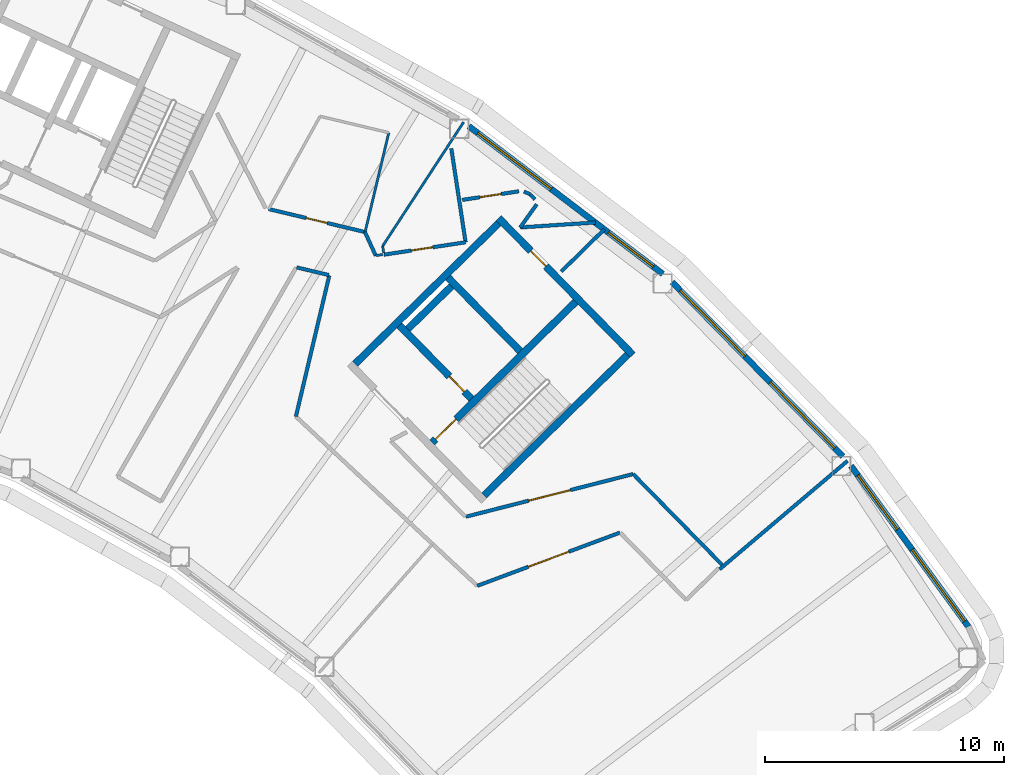
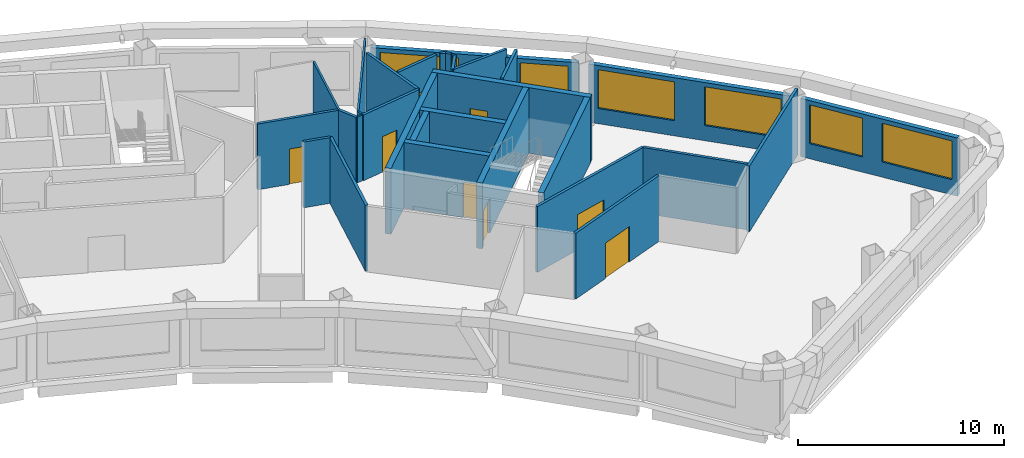
# One storey, part 8 of 16: 30 walls, 8 doors, 6 windows, 14 openings.
"""IFC4 building model written with IfcOpenShell, lengths in metres."""

from ifc_helpers import new_model, si_unit, direction, frame, frame_2d, origin, place, context, subcontext, project, spatial, rectangle, extrude, material, layer, layer_set, type_object, element, fill, save


model = new_model("IFC4")

# Units and contexts
model_context = context("Model", 3, precision=1e-05, world=origin(), true_north=direction((0.0, 1.0)))
body_context = subcontext(model_context, "Body", "Model", "MODEL_VIEW")
ifc_project = project(units=[si_unit("LENGTHUNIT", "METRE"), si_unit("AREAUNIT", "SQUARE_METRE"), si_unit("VOLUMEUNIT", "CUBIC_METRE"), si_unit("PLANEANGLEUNIT", "RADIAN"), si_unit("MASSUNIT", "GRAM", prefix="KILO")], contexts=[model_context])

# Site, building, storey
site_placement = place(None, origin())
site = spatial("IfcSite", under=ifc_project, at=site_placement, CompositionType="ELEMENT")
building_placement = place(site_placement, origin())
building = spatial("IfcBuilding", under=site, at=building_placement, Name="Tuul Gate Civic Tower", CompositionType="ELEMENT")
storey_placement = place(building_placement, frame((0.0, 0.0, 298.39990234375)))
storey = spatial("IfcBuildingStorey", under=building, at=storey_placement, Name="Level 67", CompositionType="ELEMENT", Elevation=298.39990234375)

# Wall, opening, door
ifc_material_1 = material(Name="Concrete C50/60", Category="concrete")
ifc_layer_1 = layer(ifc_material_1, 0.300048828125)
ifc_layer_set_1 = layer_set([ifc_layer_1], Name="Concrete C50/60")
wall_type_1 = type_object("IfcWallType", Name="Core wall C50/60", PredefinedType="SHEAR", material=ifc_layer_set_1)
wall_1_placement = place(storey_placement, frame((47.701904296875, -14.079833984375, 0.0), z_axis=(0.0, 0.0, 1.0), x_axis=(-0.700002721075, 0.714140175657, 0.0)))
wall_1 = element("IfcWall", 1, at=wall_1_placement, inside=storey, type_object=wall_type_1, Name="Core wall", PredefinedType="SHEAR", context=body_context, shape_type="SweptSolid", body=[
    extrude(rectangle(XDim=4.300048828125, YDim=0.300048828125, at=frame_2d((2.14990234375, 0.0))), origin(), (0.0, 0.0, 1.0), 3.900146484375),
])
opening_1_placement = place(wall_1_placement, frame((0.425048828125, 0.0, 0.0)))
opening_1 = element("IfcOpeningElement", 2, at=opening_1_placement, cuts=wall_1, Name="Opening FB-E1A1", PredefinedType="OPENING", context=body_context, shape_type="SweptSolid", body=[
    extrude(rectangle(XDim=0.89990234375, YDim=2.10009765625, at=frame_2d((0.449951171875, 1.050048828125))), frame((0.0, 0.16015625, 0.0), z_axis=(0.0, -1.0, 0.0), x_axis=(1.0, 0.0, 0.0)), (0.0, 0.0, 1.0), 0.320068359375),
])
ifc_material_2 = material(Name="Steel", Category="steel")
door_type_1 = type_object("IfcDoorType", Name="Store door", OperationType="NOTDEFINED", PredefinedType="DOOR", material=ifc_material_2)
door_1_placement = place(opening_1_placement, frame((0.89990234375, 0.0, 0.0), z_axis=(0.0, 0.0, 1.0), x_axis=(-1.0, 0.0, 0.0)))
door_1 = element("IfcDoor", 3, at=door_1_placement, inside=storey, type_object=door_type_1, Name="Store door E1A1", OperationType="SINGLE_SWING_RIGHT", OverallHeight=2.10009765625, OverallWidth=0.89990234375, PredefinedType="DOOR", context=body_context, shape_type="SweptSolid", body=[
    extrude(rectangle(XDim=0.89990234375, YDim=2.10009765625, at=frame_2d((0.449951171875, 1.050048828125))), frame((0.0, 0.02490234375, 0.0), z_axis=(0.0, -1.0, 0.0), x_axis=(1.0, 0.0, 0.0)), (0.0, 0.0, 1.0), 0.050048828125),
])
fill(opening_1, door_1)

# Wall
wall_2_placement = place(storey_placement, frame((49.737060546875, -12.0849609375, 0.0), z_axis=(0.0, 0.0, 1.0), x_axis=(-0.700002721075, 0.714140175657, 0.0)))
element("IfcWall", 4, at=wall_2_placement, inside=storey, type_object=wall_type_1, Name="Core wall", PredefinedType="SHEAR", context=body_context, shape_type="SweptSolid", body=[
    extrude(rectangle(XDim=4.300048828125, YDim=0.300048828125, at=frame_2d((2.14990234375, 0.0))), origin(), (0.0, 0.0, 1.0), 3.900146484375),
])

# Wall, opening, door
wall_3_placement = place(storey_placement, frame((54.43798828125, -12.23779296875, 0.0), z_axis=(0.0, 0.0, 1.0), x_axis=(-0.700021979774, 0.714121297703, 0.0)))
wall_3 = element("IfcWall", 5, at=wall_3_placement, inside=storey, type_object=wall_type_1, Name="Core wall", PredefinedType="SHEAR", context=body_context, shape_type="SweptSolid", body=[
    extrude(rectangle(XDim=8.0, YDim=0.300048828125, at=frame_2d((4.0, 0.0))), origin(), (0.0, 0.0, 1.0), 3.900146484375),
])
opening_2_placement = place(wall_3_placement, frame((5.175048828125, 0.0, 0.0)))
opening_2 = element("IfcOpeningElement", 6, at=opening_2_placement, cuts=wall_3, Name="Opening Y-D18", PredefinedType="OPENING", context=body_context, shape_type="SweptSolid", body=[
    extrude(rectangle(XDim=0.89990234375, YDim=2.10009765625, at=frame_2d((0.449951171875, 1.050048828125))), frame((0.0, 0.16015625, 0.0), z_axis=(0.0, -1.0, 0.0), x_axis=(1.0, 0.0, 0.0)), (0.0, 0.0, 1.0), 0.320068359375),
])
ifc_material_3 = material(Name="Timber door leaf", Category="wood")
door_type_2 = type_object("IfcDoorType", Name="Door D09", OperationType="NOTDEFINED", PredefinedType="DOOR", material=ifc_material_3)
door_2_placement = place(opening_2_placement, origin())
door_2 = element("IfcDoor", 7, at=door_2_placement, inside=storey, type_object=door_type_2, Name="Door Y-D18", OperationType="SINGLE_SWING_LEFT", OverallHeight=2.10009765625, OverallWidth=0.89990234375, PredefinedType="DOOR", context=body_context, shape_type="SweptSolid", body=[
    extrude(rectangle(XDim=0.89990234375, YDim=2.10009765625, at=frame_2d((0.449951171875, 1.050048828125))), frame((0.0, 0.02490234375, 0.0), z_axis=(0.0, -1.0, 0.0), x_axis=(1.0, 0.0, 0.0)), (0.0, 0.0, 1.0), 0.050048828125),
])
fill(opening_2, door_2)

# Wall
wall_4_placement = place(storey_placement, frame((48.227294921875, -18.115966796875, 0.0), z_axis=(0.0, 0.0, 1.0), x_axis=(0.714105315431, 0.700038283577, 0.0)))
element("IfcWall", 8, at=wall_4_placement, inside=storey, type_object=wall_type_1, Name="Core wall", PredefinedType="SHEAR", context=body_context, shape_type="SweptSolid", body=[
    extrude(rectangle(XDim=8.400146484375, YDim=0.300048828125, at=frame_2d((4.2001953125, 0.0))), origin(), (0.0, 0.0, 1.0), 3.900146484375),
])

# Wall, opening, door
wall_5_placement = place(storey_placement, frame((46.05712890625, -15.902099609375, 0.0), z_axis=(0.0, 0.0, 1.0), x_axis=(0.714134086973, 0.700008932674, 0.0)))
wall_5 = element("IfcWall", 9, at=wall_5_placement, inside=storey, type_object=wall_type_1, Name="Core wall", PredefinedType="SHEAR", context=body_context, shape_type="SweptSolid", body=[
    extrude(rectangle(XDim=8.400146484375, YDim=0.300048828125, at=frame_2d((4.2001953125, 0.0))), origin(), (0.0, 0.0, 1.0), 3.900146484375),
])
opening_3_placement = place(wall_5_placement, frame((0.199951171875, 0.0, 0.0)))
opening_3 = element("IfcOpeningElement", 10, at=opening_3_placement, cuts=wall_5, Name="Opening SD-ST-3", PredefinedType="OPENING", context=body_context, shape_type="SweptSolid", body=[
    extrude(rectangle(XDim=1.199951171875, YDim=2.10009765625, at=frame_2d((0.60009765625, 1.050048828125))), frame((0.0, 0.16015625, 0.0), z_axis=(0.0, -1.0, 0.0), x_axis=(1.0, 0.0, 0.0)), (0.0, 0.0, 1.0), 0.320068359375),
])
ifc_material_4 = material(Name="Steel", Category="steel")
door_type_3 = type_object("IfcDoorType", Name="Stair door", OperationType="NOTDEFINED", PredefinedType="DOOR", material=ifc_material_4)
door_3_placement = place(opening_3_placement, origin())
door_3 = element("IfcDoor", 11, at=door_3_placement, inside=storey, type_object=door_type_3, Name="Stair door ST-3", OperationType="SINGLE_SWING_LEFT", OverallHeight=2.10009765625, OverallWidth=1.199951171875, PredefinedType="DOOR", context=body_context, shape_type="SweptSolid", body=[
    extrude(rectangle(XDim=1.199951171875, YDim=2.10009765625, at=frame_2d((0.60009765625, 1.050048828125))), frame((0.0, 0.02490234375, 0.0), z_axis=(0.0, -1.0, 0.0), x_axis=(1.0, 0.0, 0.0)), (0.0, 0.0, 1.0), 0.050048828125),
])
fill(opening_3, door_3)

# Walls
wall_6_placement = place(storey_placement, frame((45.0439453125, -11.154052734375, 0.0), z_axis=(0.0, 0.0, 1.0), x_axis=(0.714108498262, 0.700035036773, 0.0)))
element("IfcWall", 12, at=wall_6_placement, inside=storey, type_object=wall_type_1, Name="Core wall", PredefinedType="SHEAR", context=body_context, shape_type="SweptSolid", body=[
    extrude(rectangle(XDim=2.550048828125, YDim=0.300048828125, at=frame_2d((1.27490234375, 0.0))), origin(), (0.0, 0.0, 1.0), 3.900146484375),
])
wall_7_placement = place(storey_placement, frame((42.837158203125, -12.616943359375, 0.0), z_axis=(0.0, 0.0, 1.0), x_axis=(0.714119844755, 0.700023461983, 0.0)))
element("IfcWall", 13, at=wall_7_placement, inside=storey, type_object=wall_type_1, Name="Core wall", PredefinedType="SHEAR", context=body_context, shape_type="SweptSolid", body=[
    extrude(rectangle(XDim=8.39990234375, YDim=0.300048828125, at=frame_2d((4.199951171875, 0.0))), origin(), (0.0, 0.0, 1.0), 3.900146484375),
])
ifc_material_5 = material(Name="Gypsum board partition")
ifc_layer_2 = layer(ifc_material_5, 0.14990234375)
ifc_layer_set_2 = layer_set([ifc_layer_2], Name="Gypsum board partition")
wall_type_2 = type_object("IfcWallType", Name="Corridor wall P150", PredefinedType="PARTITIONING", material=ifc_layer_set_2)
wall_8_placement = place(storey_placement, frame((54.457763671875, -17.220458984375, 0.0), z_axis=(0.0, 0.0, 1.0), x_axis=(0.699987707347, -0.714154891857, 0.0)))
element("IfcWall", 14, at=wall_8_placement, inside=storey, type_object=wall_type_2, Name="p004", PredefinedType="PARTITIONING", context=body_context, shape_type="SweptSolid", body=[
    extrude(rectangle(XDim=5.3076171875, YDim=0.14990234375, at=frame_2d((2.65380859375, 0.0))), origin(), (0.0, 0.0, 1.0), 3.900146484375),
])

# Wall, opening, door
wall_9_placement = place(storey_placement, frame((47.466796875, -19.002685546875, 0.0), z_axis=(0.0, 0.0, 1.0), x_axis=(0.968988956824, 0.247104029821, 0.0)))
wall_9 = element("IfcWall", 15, at=wall_9_placement, inside=storey, type_object=wall_type_2, Name="p005", PredefinedType="PARTITIONING", context=body_context, shape_type="SweptSolid", body=[
    extrude(rectangle(XDim=7.21337890625, YDim=0.14990234375, at=frame_2d((3.606689453125, 0.0))), origin(), (0.0, 0.0, 1.0), 3.900146484375),
])
opening_4_placement = place(wall_9_placement, frame((2.706787109375, 0.0, 0.0)))
opening_4 = element("IfcOpeningElement", 16, at=opening_4_placement, cuts=wall_9, Name="Opening Y-D01", PredefinedType="OPENING", context=body_context, shape_type="SweptSolid", body=[
    extrude(rectangle(XDim=1.800048828125, YDim=2.10009765625, at=frame_2d((0.89990234375, 1.050048828125))), frame((0.0, 0.0849609375, 0.0), z_axis=(0.0, -1.0, 0.0), x_axis=(1.0, 0.0, 0.0)), (0.0, 0.0, 1.0), 0.169921875),
])
ifc_material_6 = material(Name="Timber door leaf, double", Category="wood")
door_type_4 = type_object("IfcDoorType", Name="Door D18", OperationType="DOUBLE_DOOR_SINGLE_SWING", PredefinedType="DOOR", material=ifc_material_6)
door_4_placement = place(opening_4_placement, origin())
door_4 = element("IfcDoor", 17, at=door_4_placement, inside=storey, type_object=door_type_4, Name="Door Y-D01", OperationType="DOUBLE_DOOR_SINGLE_SWING", OverallHeight=2.10009765625, OverallWidth=1.800048828125, PredefinedType="DOOR", context=body_context, shape_type="SweptSolid", body=[
    extrude(rectangle(XDim=1.800048828125, YDim=2.10009765625, at=frame_2d((0.89990234375, 1.050048828125))), frame((0.0, 0.02490234375, 0.0), z_axis=(0.0, -1.0, 0.0), x_axis=(1.0, 0.0, 0.0)), (0.0, 0.0, 1.0), 0.050048828125),
])
fill(opening_4, door_4)

# Walls
wall_10_placement = place(storey_placement, frame((51.4501953125, -8.76025390625, 0.0), z_axis=(0.0, 0.0, 1.0), x_axis=(0.714081368042, 0.700062711345, 0.0)))
element("IfcWall", 18, at=wall_10_placement, inside=storey, type_object=wall_type_2, Name="p008", PredefinedType="PARTITIONING", context=body_context, shape_type="SweptSolid", body=[
    extrude(rectangle(XDim=2.525146484375, YDim=0.14990234375, at=frame_2d((1.2626953125, 0.0))), origin(), (0.0, 0.0, 1.0), 3.900146484375),
])
wall_11_placement = place(storey_placement, frame((58.072265625, -21.19677734375, 0.0), z_axis=(0.0, 0.0, 1.0), x_axis=(0.762848951286, 0.646576737535, 0.0)))
element("IfcWall", 19, at=wall_11_placement, inside=storey, type_object=wall_type_2, Name="p009", PredefinedType="PARTITIONING", context=body_context, shape_type="SweptSolid", body=[
    extrude(rectangle(XDim=7.00048828125, YDim=0.14990234375, at=frame_2d((3.500244140625, 0.0))), origin(), (0.0, 0.0, 1.0), 3.900146484375),
])

# Wall, opening, door
wall_12_placement = place(storey_placement, frame((44.044921875, -8.05322265625, 0.0), z_axis=(0.0, 0.0, 1.0), x_axis=(0.988596403611, 0.150589344802, 0.0)))
wall_12 = element("IfcWall", 20, at=wall_12_placement, inside=storey, type_object=wall_type_2, Name="p012", PredefinedType="PARTITIONING", context=body_context, shape_type="SweptSolid", body=[
    extrude(rectangle(XDim=3.449951171875, YDim=0.14990234375, at=frame_2d((1.72509765625, 0.0))), origin(), (0.0, 0.0, 1.0), 3.900146484375),
])
opening_5_placement = place(wall_12_placement, frame((1.159912109375, 0.0, 0.0)))
opening_5 = element("IfcOpeningElement", 21, at=opening_5_placement, cuts=wall_12, Name="Opening Y-D02", PredefinedType="OPENING", context=body_context, shape_type="SweptSolid", body=[
    extrude(rectangle(XDim=0.89990234375, YDim=2.10009765625, at=frame_2d((0.449951171875, 1.050048828125))), frame((0.0, 0.0849609375, 0.0), z_axis=(0.0, -1.0, 0.0), x_axis=(1.0, 0.0, 0.0)), (0.0, 0.0, 1.0), 0.169921875),
])
door_5_placement = place(opening_5_placement, origin())
door_5 = element("IfcDoor", 22, at=door_5_placement, inside=storey, type_object=door_type_2, Name="Door Y-D02", OperationType="SINGLE_SWING_LEFT", OverallHeight=2.10009765625, OverallWidth=0.89990234375, PredefinedType="DOOR", context=body_context, shape_type="SweptSolid", body=[
    extrude(rectangle(XDim=0.89990234375, YDim=2.10009765625, at=frame_2d((0.449951171875, 1.050048828125))), frame((0.0, 0.02490234375, 0.0), z_axis=(0.0, -1.0, 0.0), x_axis=(1.0, 0.0, 0.0)), (0.0, 0.0, 1.0), 0.050048828125),
])
fill(opening_5, door_5)

# Wall
wall_13_placement = place(storey_placement, frame((49.737060546875, -6.91455078125, 0.0), z_axis=(0.0, 0.0, 1.0), x_axis=(0.997841736388, 0.065664824079, 0.0)))
element("IfcWall", 23, at=wall_13_placement, inside=storey, type_object=wall_type_2, Name="p013", PredefinedType="PARTITIONING", context=body_context, shape_type="SweptSolid", body=[
    extrude(rectangle(XDim=3.149169921875, YDim=0.14990234375, at=frame_2d((1.57470703125, 0.0))), origin(), (0.0, 0.0, 1.0), 3.900146484375),
])

# Wall, opening, door
wall_14_placement = place(storey_placement, frame((39.226806640625, -6.146240234375, 0.0), z_axis=(0.0, 0.0, 1.0), x_axis=(0.972722701554, -0.231971002242, 0.0)))
wall_14 = element("IfcWall", 24, at=wall_14_placement, inside=storey, type_object=wall_type_2, Name="p017", PredefinedType="PARTITIONING", context=body_context, shape_type="SweptSolid", body=[
    extrude(rectangle(XDim=4.1435546875, YDim=0.14990234375, at=frame_2d((2.07177734375, 0.0))), origin(), (0.0, 0.0, 1.0), 3.900146484375),
])
opening_6_placement = place(wall_14_placement, frame((1.616943359375, 0.0, 0.0)))
opening_6 = element("IfcOpeningElement", 25, at=opening_6_placement, cuts=wall_14, Name="Opening Y-D03", PredefinedType="OPENING", context=body_context, shape_type="SweptSolid", body=[
    extrude(rectangle(XDim=0.89990234375, YDim=2.10009765625, at=frame_2d((0.449951171875, 1.050048828125))), frame((0.0, 0.0849609375, 0.0), z_axis=(0.0, -1.0, 0.0), x_axis=(1.0, 0.0, 0.0)), (0.0, 0.0, 1.0), 0.169921875),
])
door_6_placement = place(opening_6_placement, origin())
door_6 = element("IfcDoor", 26, at=door_6_placement, inside=storey, type_object=door_type_2, Name="Door Y-D03", OperationType="SINGLE_SWING_RIGHT", OverallHeight=2.10009765625, OverallWidth=0.89990234375, PredefinedType="DOOR", context=body_context, shape_type="SweptSolid", body=[
    extrude(rectangle(XDim=0.89990234375, YDim=2.10009765625, at=frame_2d((0.449951171875, 1.050048828125))), frame((0.0, 0.02490234375, 0.0), z_axis=(0.0, -1.0, 0.0), x_axis=(1.0, 0.0, 0.0)), (0.0, 0.0, 1.0), 0.050048828125),
])
fill(opening_6, door_6)

# Wall
wall_15_placement = place(storey_placement, frame((43.247802734375, -7.105224609375, 0.0), z_axis=(0.0, 0.0, 1.0), x_axis=(0.416041876588, -0.909345455218, 0.0)))
element("IfcWall", 27, at=wall_15_placement, inside=storey, type_object=wall_type_2, Name="p018", PredefinedType="PARTITIONING", context=body_context, shape_type="SweptSolid", body=[
    extrude(rectangle(XDim=1.083740234375, YDim=0.14990234375, at=frame_2d((0.5419921875, 0.0))), origin(), (0.0, 0.0, 1.0), 3.900146484375),
])

# Wall, opening, door
wall_16_placement = place(storey_placement, frame((47.9443359375, -21.889892578125, 0.0), z_axis=(0.0, 0.0, 1.0), x_axis=(0.936968482733, 0.349413884046, 0.0)))
wall_16 = element("IfcWall", 28, at=wall_16_placement, inside=storey, type_object=wall_type_2, Name="p050", PredefinedType="PARTITIONING", context=body_context, shape_type="SweptSolid", body=[
    extrude(rectangle(XDim=6.356201171875, YDim=0.14990234375, at=frame_2d((3.17822265625, 0.0))), origin(), (0.0, 0.0, 1.0), 3.900146484375),
])
opening_7_placement = place(wall_16_placement, frame((2.278076171875, 0.0, 0.0)))
opening_7 = element("IfcOpeningElement", 29, at=opening_7_placement, cuts=wall_16, Name="Opening Y-D07", PredefinedType="OPENING", context=body_context, shape_type="SweptSolid", body=[
    extrude(rectangle(XDim=1.800048828125, YDim=2.10009765625, at=frame_2d((0.89990234375, 1.050048828125))), frame((0.0, 0.0849609375, 0.0), z_axis=(0.0, -1.0, 0.0), x_axis=(1.0, 0.0, 0.0)), (0.0, 0.0, 1.0), 0.169921875),
])
door_7_placement = place(opening_7_placement, frame((1.800048828125, 0.0, 0.0), z_axis=(0.0, 0.0, 1.0), x_axis=(-1.0, 0.0, 0.0)))
door_7 = element("IfcDoor", 30, at=door_7_placement, inside=storey, type_object=door_type_4, Name="Door Y-D07", OperationType="DOUBLE_DOOR_SINGLE_SWING", OverallHeight=2.10009765625, OverallWidth=1.800048828125, PredefinedType="DOOR", context=body_context, shape_type="SweptSolid", body=[
    extrude(rectangle(XDim=1.800048828125, YDim=2.10009765625, at=frame_2d((0.900146484375, 1.050048828125))), frame((0.0, 0.02490234375, 0.0), z_axis=(0.0, -1.0, 0.0), x_axis=(1.0, 0.0, 0.0)), (0.0, 0.0, 1.0), 0.050048828125),
])
fill(opening_7, door_7)

# Walls
wall_17_placement = place(storey_placement, frame((40.397216796875, -8.583984375, 0.0), z_axis=(0.0, 0.0, 1.0), x_axis=(0.972749430583, -0.231858890922, 0.0)))
element("IfcWall", 31, at=wall_17_placement, inside=storey, type_object=wall_type_2, Name="p059", PredefinedType="PARTITIONING", context=body_context, shape_type="SweptSolid", body=[
    extrude(rectangle(XDim=1.384765625, YDim=0.14990234375, at=frame_2d((0.6923828125, 0.0))), origin(), (0.0, 0.0, 1.0), 3.900146484375),
])
wall_18_placement = place(storey_placement, frame((40.364501953125, -14.81640625, 0.0), z_axis=(0.0, 0.0, 1.0), x_axis=(0.230468393263, 0.973079811581, 0.0)))
element("IfcWall", 32, at=wall_18_placement, inside=storey, type_object=wall_type_2, Name="p060", PredefinedType="PARTITIONING", context=body_context, shape_type="SweptSolid", body=[
    extrude(rectangle(XDim=6.05517578125, YDim=0.14990234375, at=frame_2d((3.027587890625, 0.0))), origin(), (0.0, 0.0, 1.0), 3.900146484375),
])
wall_19_placement = place(storey_placement, frame((46.8583984375, -3.61328125, 0.0), z_axis=(0.0, 0.0, 1.0), x_axis=(0.150576717592, -0.988598326986, 0.0)))
element("IfcWall", 33, at=wall_19_placement, inside=storey, type_object=wall_type_2, Name="p091", PredefinedType="PARTITIONING", context=body_context, shape_type="SweptSolid", body=[
    extrude(rectangle(XDim=3.9658203125, YDim=0.14990234375, at=frame_2d((1.98291015625, 0.0))), origin(), (0.0, 0.0, 1.0), 3.900146484375),
])

# Wall, opening, door
wall_20_placement = place(storey_placement, frame((47.319580078125, -5.76416015625, 0.0), z_axis=(0.0, 0.0, 1.0), x_axis=(0.988598667158, 0.150574484203, 0.0)))
wall_20 = element("IfcWall", 34, at=wall_20_placement, inside=storey, type_object=wall_type_2, Name="p092", PredefinedType="PARTITIONING", context=body_context, shape_type="SweptSolid", body=[
    extrude(rectangle(XDim=2.388427734375, YDim=0.14990234375, at=frame_2d((1.1943359375, 0.0))), origin(), (0.0, 0.0, 1.0), 3.900146484375),
])
opening_8_placement = place(wall_20_placement, frame((0.744140625, 0.0, 0.0)))
opening_8 = element("IfcOpeningElement", 35, at=opening_8_placement, cuts=wall_20, Name="Opening Y-D15", PredefinedType="OPENING", context=body_context, shape_type="SweptSolid", body=[
    extrude(rectangle(XDim=0.89990234375, YDim=2.10009765625, at=frame_2d((0.449951171875, 1.050048828125))), frame((0.0, 0.0849609375, 0.0), z_axis=(0.0, -1.0, 0.0), x_axis=(1.0, 0.0, 0.0)), (0.0, 0.0, 1.0), 0.169921875),
])
door_8_placement = place(opening_8_placement, origin())
door_8 = element("IfcDoor", 36, at=door_8_placement, inside=storey, type_object=door_type_2, Name="Door Y-D15", OperationType="SINGLE_SWING_LEFT", OverallHeight=2.10009765625, OverallWidth=0.89990234375, PredefinedType="DOOR", context=body_context, shape_type="SweptSolid", body=[
    extrude(rectangle(XDim=0.89990234375, YDim=2.10009765625, at=frame_2d((0.449951171875, 1.050048828125))), frame((0.0, 0.02490234375, 0.0), z_axis=(0.0, -1.0, 0.0), x_axis=(1.0, 0.0, 0.0)), (0.0, 0.0, 1.0), 0.050048828125),
])
fill(opening_8, door_8)

# Walls
wall_21_placement = place(storey_placement, frame((49.895751953125, -5.4130859375, 0.0), z_axis=(0.0, 0.0, 1.0), x_axis=(0.90980768744, -0.415030085505, 0.0)))
element("IfcWall", 37, at=wall_21_placement, inside=storey, type_object=wall_type_2, Name="p093", PredefinedType="PARTITIONING", context=body_context, shape_type="SweptSolid", body=[
    extrude(rectangle(XDim=0.28466796875, YDim=0.14990234375, at=frame_2d((0.142333984375, 0.0))), origin(), (0.0, 0.0, 1.0), 3.900146484375),
])
wall_22_placement = place(storey_placement, frame((50.15478515625, -5.53125, 0.0), z_axis=(0.0, 0.0, 1.0), x_axis=(0.681984488791, -0.731366636543, 0.0)))
element("IfcWall", 38, at=wall_22_placement, inside=storey, type_object=wall_type_2, Name="p094", PredefinedType="PARTITIONING", context=body_context, shape_type="SweptSolid", body=[
    extrude(rectangle(XDim=0.286865234375, YDim=0.14990234375, at=frame_2d((0.1435546875, 0.0))), origin(), (0.0, 0.0, 1.0), 3.900146484375),
])
wall_23_placement = place(storey_placement, frame((50.427490234375, -5.949462890625, 0.0), z_axis=(0.0, 0.0, 1.0), x_axis=(-0.581744013419, -0.813371933897, 0.0)))
element("IfcWall", 39, at=wall_23_placement, inside=storey, type_object=wall_type_2, Name="p095", PredefinedType="PARTITIONING", context=body_context, shape_type="SweptSolid", body=[
    extrude(rectangle(XDim=1.186767578125, YDim=0.14990234375, at=frame_2d((0.59326171875, 0.0))), origin(), (0.0, 0.0, 1.0), 3.900146484375),
])

# Wall, openings, windows
ifc_material_7 = material(Name="Precast concrete C40/50", Category="concrete")
ifc_layer_3 = layer(ifc_material_7, 0.25)
ifc_layer_set_3 = layer_set([ifc_layer_3], Name="Precast concrete C40/50")
wall_type_3 = type_object("IfcWallType", Name="External wall", PredefinedType="STANDARD", material=ifc_layer_set_3)
wall_24_placement = place(storey_placement, frame((68.47802734375, -23.61376953125, 0.0), z_axis=(0.0, 0.0, 1.0), x_axis=(-0.589827901293, 0.807528975862, 0.0)))
wall_24 = element("IfcWall", 40, at=wall_24_placement, inside=storey, type_object=wall_type_3, Name="External wall", PredefinedType="STANDARD", context=body_context, shape_type="SweptSolid", body=[
    extrude(rectangle(XDim=8.337890625, YDim=0.25, at=frame_2d((4.1689453125, 0.0))), origin(), (0.0, 0.0, 1.0), 3.4501953125),
])
opening_9_placement = place(wall_24_placement, frame((0.301025390625, 0.0, 0.89990234375)))
opening_9 = element("IfcOpeningElement", 41, at=opening_9_placement, cuts=wall_24, Name="Opening W21", PredefinedType="OPENING", context=body_context, shape_type="SweptSolid", body=[
    extrude(rectangle(XDim=3.699951171875, YDim=2.300048828125, at=frame_2d((1.85009765625, 1.14990234375))), frame((0.0, 0.135009765625, 0.0), z_axis=(0.0, -1.0, 0.0), x_axis=(1.0, 0.0, 0.0)), (0.0, 0.0, 1.0), 0.27001953125),
])
opening_10_placement = place(wall_24_placement, frame((5.052978515625, 0.0, 0.89990234375)))
opening_10 = element("IfcOpeningElement", 42, at=opening_10_placement, cuts=wall_24, Name="Opening W23", PredefinedType="OPENING", context=body_context, shape_type="SweptSolid", body=[
    extrude(rectangle(XDim=2.800048828125, YDim=2.300048828125, at=frame_2d((1.39990234375, 1.14990234375))), frame((0.0, 0.135009765625, 0.0), z_axis=(0.0, -1.0, 0.0), x_axis=(1.0, 0.0, 0.0)), (0.0, 0.0, 1.0), 0.27001953125),
])
ifc_material_8 = material(Name="Glass", Category="glass")
window_type_1 = type_object("IfcWindowType", Name="Window W21 3700 x 2300", PartitioningType="SINGLE_PANEL", PredefinedType="WINDOW", material=ifc_material_8)
window_1_placement = place(opening_9_placement, origin())
window_1 = element("IfcWindow", 43, at=window_1_placement, inside=storey, type_object=window_type_1, Name="Window", OverallHeight=2.300048828125, OverallWidth=3.699951171875, PartitioningType="SINGLE_PANEL", PredefinedType="WINDOW", context=body_context, shape_type="SweptSolid", body=[
    extrude(rectangle(XDim=3.699951171875, YDim=2.300048828125, at=frame_2d((1.85009765625, 1.14990234375))), frame((0.0, 0.030029296875, 0.0), z_axis=(0.0, -1.0, 0.0), x_axis=(1.0, 0.0, 0.0)), (0.0, 0.0, 1.0), 0.06005859375),
])
fill(opening_9, window_1)
ifc_material_9 = material(Name="Glass", Category="glass")
window_type_2 = type_object("IfcWindowType", Name="Window W23 2800 x 2300", PartitioningType="SINGLE_PANEL", PredefinedType="WINDOW", material=ifc_material_9)
window_2_placement = place(opening_10_placement, origin())
window_2 = element("IfcWindow", 44, at=window_2_placement, inside=storey, type_object=window_type_2, Name="Window", OverallHeight=2.300048828125, OverallWidth=2.800048828125, PartitioningType="SINGLE_PANEL", PredefinedType="WINDOW", context=body_context, shape_type="SweptSolid", body=[
    extrude(rectangle(XDim=2.800048828125, YDim=2.300048828125, at=frame_2d((1.39990234375, 1.14990234375))), frame((0.0, 0.030029296875, 0.0), z_axis=(0.0, -1.0, 0.0), x_axis=(1.0, 0.0, 0.0)), (0.0, 0.0, 1.0), 0.06005859375),
])
fill(opening_10, window_2)

wall_25_placement = place(storey_placement, frame((63.22314453125, -16.48388671875, 0.0), z_axis=(0.0, 0.0, 1.0), x_axis=(-0.700055609081, 0.714088330807, 0.0)))
wall_25 = element("IfcWall", 45, at=wall_25_placement, inside=storey, type_object=wall_type_3, Name="External wall", PredefinedType="STANDARD", context=body_context, shape_type="SweptSolid", body=[
    extrude(rectangle(XDim=10.1953125, YDim=0.25, at=frame_2d((5.09765625, 0.0))), origin(), (0.0, 0.0, 1.0), 3.4501953125),
])
opening_11_placement = place(wall_25_placement, frame((0.48681640625, 0.0, 0.89990234375)))
opening_11 = element("IfcOpeningElement", 46, at=opening_11_placement, cuts=wall_25, Name="Opening W22", PredefinedType="OPENING", context=body_context, shape_type="SweptSolid", body=[
    extrude(rectangle(XDim=3.85009765625, YDim=2.300048828125, at=frame_2d((1.925048828125, 1.14990234375))), frame((0.0, 0.135009765625, 0.0), z_axis=(0.0, -1.0, 0.0), x_axis=(1.0, 0.0, 0.0)), (0.0, 0.0, 1.0), 0.27001953125),
])
opening_12_placement = place(wall_25_placement, frame((5.85791015625, 0.0, 0.89990234375)))
opening_12 = element("IfcOpeningElement", 47, at=opening_12_placement, cuts=wall_25, Name="Opening W22", PredefinedType="OPENING", context=body_context, shape_type="SweptSolid", body=[
    extrude(rectangle(XDim=3.85009765625, YDim=2.300048828125, at=frame_2d((1.925048828125, 1.14990234375))), frame((0.0, 0.135009765625, 0.0), z_axis=(0.0, -1.0, 0.0), x_axis=(1.0, 0.0, 0.0)), (0.0, 0.0, 1.0), 0.27001953125),
])
ifc_material_10 = material(Name="Glass", Category="glass")
window_type_3 = type_object("IfcWindowType", Name="Window W22 3850 x 2300", PartitioningType="SINGLE_PANEL", PredefinedType="WINDOW", material=ifc_material_10)
window_3_placement = place(opening_11_placement, origin())
window_3 = element("IfcWindow", 48, at=window_3_placement, inside=storey, type_object=window_type_3, Name="Window", OverallHeight=2.300048828125, OverallWidth=3.85009765625, PartitioningType="SINGLE_PANEL", PredefinedType="WINDOW", context=body_context, shape_type="SweptSolid", body=[
    extrude(rectangle(XDim=3.85009765625, YDim=2.300048828125, at=frame_2d((1.925048828125, 1.14990234375))), frame((0.0, 0.030029296875, 0.0), z_axis=(0.0, -1.0, 0.0), x_axis=(1.0, 0.0, 0.0)), (0.0, 0.0, 1.0), 0.06005859375),
])
fill(opening_11, window_3)
window_4_placement = place(opening_12_placement, origin())
window_4 = element("IfcWindow", 49, at=window_4_placement, inside=storey, type_object=window_type_3, Name="Window", OverallHeight=2.300048828125, OverallWidth=3.85009765625, PartitioningType="SINGLE_PANEL", PredefinedType="WINDOW", context=body_context, shape_type="SweptSolid", body=[
    extrude(rectangle(XDim=3.85009765625, YDim=2.300048828125, at=frame_2d((1.925048828125, 1.14990234375))), frame((0.0, 0.030029296875, 0.0), z_axis=(0.0, -1.0, 0.0), x_axis=(1.0, 0.0, 0.0)), (0.0, 0.0, 1.0), 0.06005859375),
])
fill(opening_12, window_4)

wall_26_placement = place(storey_placement, frame((55.6962890625, -8.85888671875, 0.0), z_axis=(0.0, 0.0, 1.0), x_axis=(-0.795610476584, 0.605808525485, 0.0)))
wall_26 = element("IfcWall", 50, at=wall_26_placement, inside=storey, type_object=wall_type_3, Name="External wall", PredefinedType="STANDARD", context=body_context, shape_type="SweptSolid", body=[
    extrude(rectangle(XDim=10.1875, YDim=0.25, at=frame_2d((5.09375, 0.0))), origin(), (0.0, 0.0, 1.0), 3.4501953125),
])
opening_13_placement = place(wall_26_placement, frame((5.865478515625, 0.0, 0.89990234375)))
opening_13 = element("IfcOpeningElement", 51, at=opening_13_placement, cuts=wall_26, Name="Opening W22", PredefinedType="OPENING", context=body_context, shape_type="SweptSolid", body=[
    extrude(rectangle(XDim=3.85009765625, YDim=2.300048828125, at=frame_2d((1.925048828125, 1.14990234375))), frame((0.0, 0.135009765625, 0.0), z_axis=(0.0, -1.0, 0.0), x_axis=(1.0, 0.0, 0.0)), (0.0, 0.0, 1.0), 0.27001953125),
])
opening_14_placement = place(wall_26_placement, frame((0.509033203125, 0.0, 0.89990234375)))
opening_14 = element("IfcOpeningElement", 52, at=opening_14_placement, cuts=wall_26, Name="Opening W52", PredefinedType="OPENING", context=body_context, shape_type="SweptSolid", body=[
    extrude(rectangle(XDim=2.35009765625, YDim=2.300048828125, at=frame_2d((1.175048828125, 1.14990234375))), frame((0.0, 0.135009765625, 0.0), z_axis=(0.0, -1.0, 0.0), x_axis=(1.0, 0.0, 0.0)), (0.0, 0.0, 1.0), 0.27001953125),
])
ifc_material_11 = material(Name="Glass", Category="glass")
window_type_4 = type_object("IfcWindowType", Name="Window 2350 x 2300", PartitioningType="SINGLE_PANEL", PredefinedType="WINDOW", material=ifc_material_11)
window_5_placement = place(opening_14_placement, origin())
window_5 = element("IfcWindow", 53, at=window_5_placement, inside=storey, type_object=window_type_4, Name="Window", OverallHeight=2.300048828125, OverallWidth=2.35009765625, PartitioningType="SINGLE_PANEL", PredefinedType="WINDOW", context=body_context, shape_type="SweptSolid", body=[
    extrude(rectangle(XDim=2.35009765625, YDim=2.300048828125, at=frame_2d((1.175048828125, 1.14990234375))), frame((0.0, 0.030029296875, 0.0), z_axis=(0.0, -1.0, 0.0), x_axis=(1.0, 0.0, 0.0)), (0.0, 0.0, 1.0), 0.06005859375),
])
fill(opening_14, window_5)
window_6_placement = place(opening_13_placement, origin())
window_6 = element("IfcWindow", 54, at=window_6_placement, inside=storey, type_object=window_type_3, Name="Window", OverallHeight=2.300048828125, OverallWidth=3.85009765625, PartitioningType="SINGLE_PANEL", PredefinedType="WINDOW", context=body_context, shape_type="SweptSolid", body=[
    extrude(rectangle(XDim=3.85009765625, YDim=2.300048828125, at=frame_2d((1.925048828125, 1.14990234375))), frame((0.0, 0.030029296875, 0.0), z_axis=(0.0, -1.0, 0.0), x_axis=(1.0, 0.0, 0.0)), (0.0, 0.0, 1.0), 0.06005859375),
])
fill(opening_13, window_6)

# Walls
ifc_material_12 = material(Name="Gypsum board partition")
ifc_layer_4 = layer(ifc_material_12, 0.10009765625)
ifc_layer_set_4 = layer_set([ifc_layer_4], Name="Gypsum board partition")
wall_type_4 = type_object("IfcWallType", Name="Partition P100", PredefinedType="PARTITIONING", material=ifc_layer_set_4)
wall_27_placement = place(storey_placement, frame((43.989990234375, -7.692626953125, 0.0), z_axis=(0.0, 0.0, 1.0), x_axis=(0.546740898534, 0.837301851109, 0.0)))
element("IfcWall", 55, at=wall_27_placement, inside=storey, type_object=wall_type_4, Name="p010", PredefinedType="PARTITIONING", context=body_context, shape_type="SweptSolid", body=[
    extrude(rectangle(XDim=6.18505859375, YDim=0.10009765625, at=frame_2d((3.092529296875, 0.0))), origin(), (0.0, 0.0, 1.0), 3.900146484375),
])
wall_28_placement = place(storey_placement, frame((43.25439453125, -7.116455078125, 0.0), z_axis=(0.0, 0.0, 1.0), x_axis=(0.231833944955, 0.972755376221, 0.0)))
element("IfcWall", 56, at=wall_28_placement, inside=storey, type_object=wall_type_4, Name="p016", PredefinedType="PARTITIONING", context=body_context, shape_type="SweptSolid", body=[
    extrude(rectangle(XDim=4.278564453125, YDim=0.10009765625, at=frame_2d((2.13916015625, 0.0))), origin(), (0.0, 0.0, 1.0), 3.900146484375),
])
wall_29_placement = place(storey_placement, frame((43.989990234375, -7.692626953125, 0.0), z_axis=(0.0, 0.0, 1.0), x_axis=(0.150853826342, -0.988556079885, 0.0)))
element("IfcWall", 57, at=wall_29_placement, inside=storey, type_object=wall_type_4, Name="p096", PredefinedType="PARTITIONING", context=body_context, shape_type="SweptSolid", body=[
    extrude(rectangle(XDim=0.289794921875, YDim=0.10009765625, at=frame_2d((0.14501953125, 0.0))), origin(), (0.0, 0.0, 1.0), 3.900146484375),
])
wall_30_placement = place(storey_placement, frame((43.69873046875, -8.0908203125, 0.0), z_axis=(0.0, 0.0, 1.0), x_axis=(0.988560456351, 0.150825144253, 0.0)))
element("IfcWall", 58, at=wall_30_placement, inside=storey, type_object=wall_type_4, Name="p098", PredefinedType="PARTITIONING", context=body_context, shape_type="SweptSolid", body=[
    extrude(rectangle(XDim=0.2978515625, YDim=0.10009765625, at=frame_2d((0.14892578125, 0.0))), origin(), (0.0, 0.0, 1.0), 3.900146484375),
])

save(model, "model.ifc")
